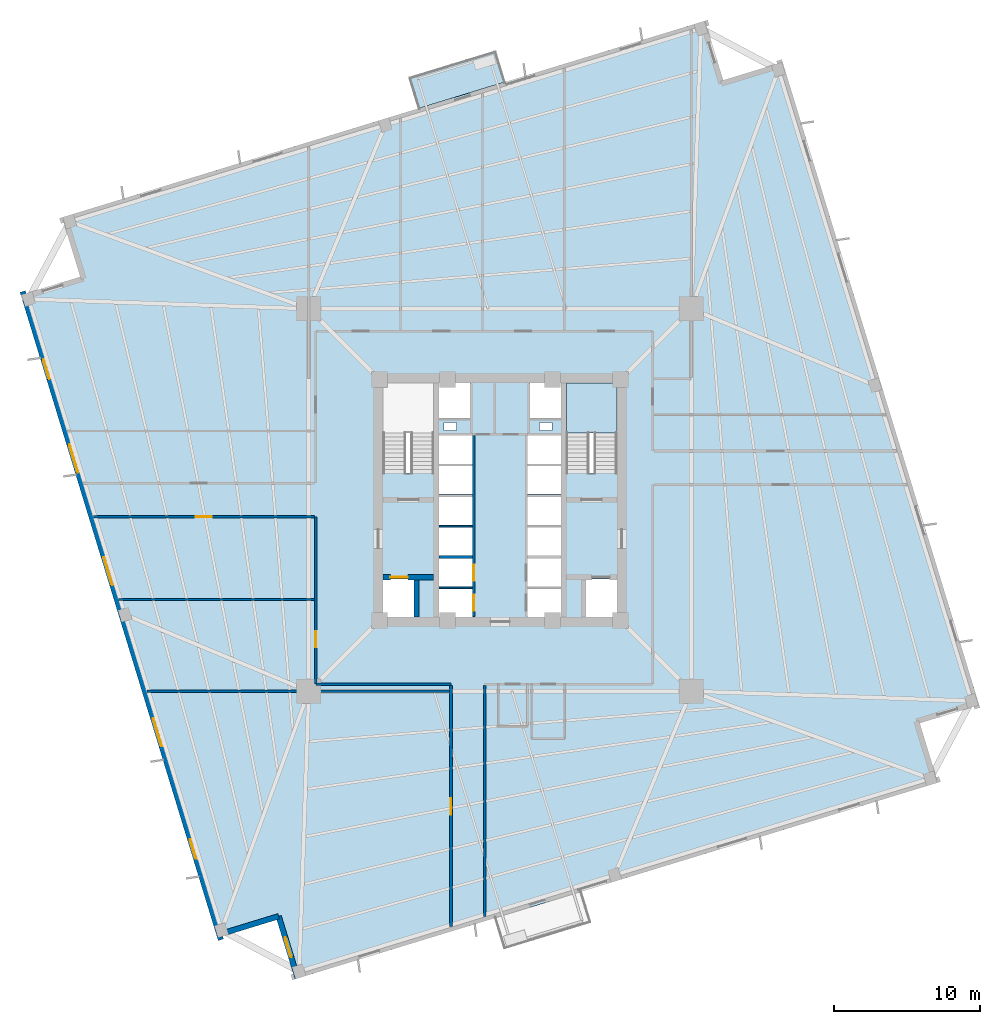
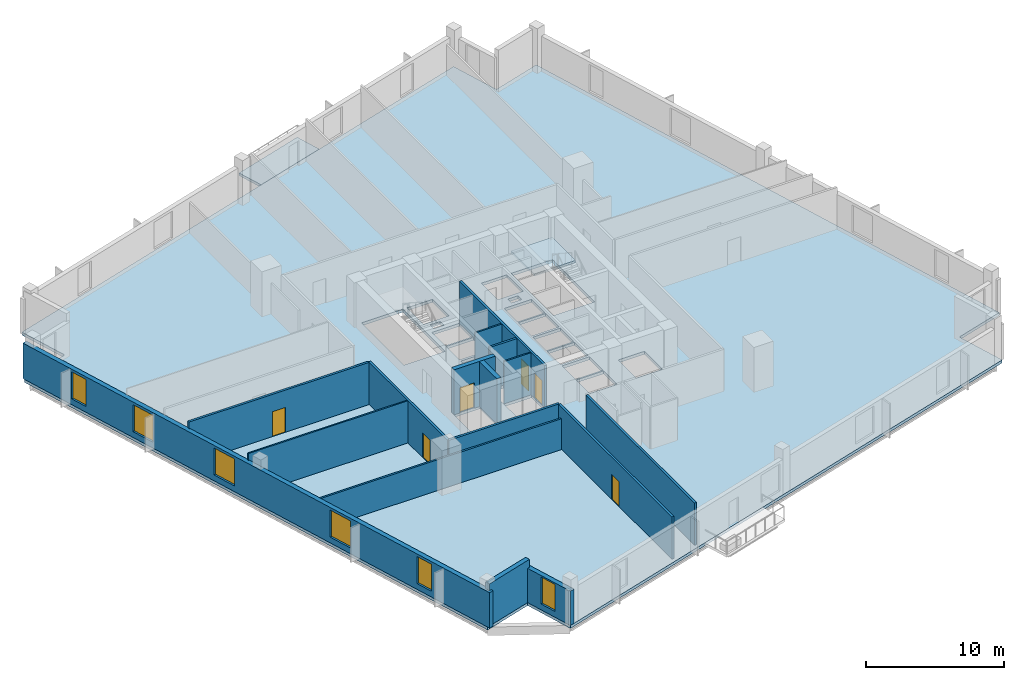
# One storey, part 2 of 8: 16 walls, 6 doors, 6 windows, 3 slabs, 12 openings, 1 element without a shape of its own.
"""IFC4 building model written with IfcOpenShell, lengths in metres."""

from ifc_helpers import new_model, si_unit, direction, frame, frame_2d, origin, place, context, subcontext, project, spatial, polyline, rectangle, outline, extrude, source, transform, mapped, material, layer, layer_set, type_object, element, fill, aggregate, save


model = new_model("IFC4")

# Units and contexts
model_context = context("Model", 3, precision=1e-05, world=origin(), true_north=direction((0.0, 1.0)))
body_context = subcontext(model_context, "Body", "Model", "MODEL_VIEW")
ifc_project = project(units=[si_unit("LENGTHUNIT", "METRE"), si_unit("AREAUNIT", "SQUARE_METRE"), si_unit("VOLUMEUNIT", "CUBIC_METRE"), si_unit("PLANEANGLEUNIT", "RADIAN"), si_unit("MASSUNIT", "GRAM", prefix="KILO"), si_unit("THERMODYNAMICTEMPERATUREUNIT", "KELVIN")], contexts=[model_context])

# Site, building, storey
site_placement = place(None, origin())
site = spatial("IfcSite", under=ifc_project, at=site_placement, CompositionType="ELEMENT")
building_placement = place(site_placement, origin())
building = spatial("IfcBuilding", under=site, at=building_placement, Name="Kosmvard Interchange Tower", CompositionType="ELEMENT")
storey_placement = place(building_placement, frame((0.0, 0.0, 91.199951171875)))
storey = spatial("IfcBuildingStorey", under=building, at=storey_placement, Name="L21", CompositionType="ELEMENT", Elevation=91.199951171875)

# Slab
ifc_material_1 = material(Name="Concrete C50/60", Category="concrete")
ifc_layer_1 = layer(ifc_material_1, 0.260009765625, Name="Concrete C50/60")
ifc_layer_set_1 = layer_set([ifc_layer_1], Name="Concrete C50/60")
slab_type_1 = type_object("IfcSlabType", Name="Mid-Rise Office Composite Slab 260 C50/60", PredefinedType="FLOOR", material=ifc_layer_set_1)
slab_1_placement = place(storey_placement, frame((0.0, 0.0, -0.260009765625)))
element("IfcSlab", 1, at=slab_1_placement, inside=storey, type_object=slab_type_1, Name="L21 Structural Floor Slab", PredefinedType="FLOOR", context=body_context, shape_type="SweptSolid", body=[
    extrude(outline(polyline([(-14.02783203125, -32.783935546875), (29.962158203125, -19.334716796875), (28.719482421875, -15.2705078125), (32.783935546875, -14.02783203125), (19.334716796875, 29.962158203125), (15.2705078125, 28.719482421875), (14.02783203125, 32.783935546875), (-29.962158203125, 19.334716796875), (-28.719482421875, 15.2705078125), (-32.783935546875, 14.02783203125), (-19.334716796875, -29.962158203125), (-15.2705078125, -28.719482421875), (-14.02783203125, -32.783935546875)]), holes=[polyline([(-8.0, 1.8349609375), (-4.5400390625, 1.8349609375), (-4.5400390625, 8.0), (-8.0, 8.0), (-8.0, 1.8349609375)]), polyline([(4.5400390625, 1.8349609375), (8.0, 1.8349609375), (8.0, 8.0), (4.5400390625, 8.0), (4.5400390625, 1.8349609375)]), polyline([(-8.0, -8.0), (-5.800048828125, -8.0), (-5.800048828125, -5.39990234375), (-8.0, -5.39990234375), (-8.0, -8.0)]), polyline([(5.800048828125, -8.0), (8.0, -8.0), (8.0, -5.39990234375), (5.800048828125, -5.39990234375), (5.800048828125, -8.0)]), polyline([(-4.179931640625, -8.0), (-1.8798828125, -8.0), (-1.8798828125, -6.06005859375), (-4.179931640625, -6.06005859375), (-4.179931640625, -8.0)]), polyline([(-4.179931640625, -5.93994140625), (-1.8798828125, -5.93994140625), (-1.8798828125, -4.0), (-4.179931640625, -4.0), (-4.179931640625, -5.93994140625)]), polyline([(1.8798828125, -8.0), (4.179931640625, -8.0), (4.179931640625, -6.06005859375), (1.8798828125, -6.06005859375), (1.8798828125, -8.0)]), polyline([(1.8798828125, -5.93994140625), (4.179931640625, -5.93994140625), (4.179931640625, -4.0), (1.8798828125, -4.0), (1.8798828125, -5.93994140625)]), polyline([(-4.179931640625, -3.800048828125), (-1.8798828125, -3.800048828125), (-1.8798828125, -1.860107421875), (-4.179931640625, -1.860107421875), (-4.179931640625, -3.800048828125)]), polyline([(-4.179931640625, -1.739990234375), (-1.8798828125, -1.739990234375), (-1.8798828125, 0.199951171875), (-4.179931640625, 0.199951171875), (-4.179931640625, -1.739990234375)]), polyline([(1.8798828125, -3.800048828125), (4.179931640625, -3.800048828125), (4.179931640625, -1.860107421875), (1.8798828125, -1.860107421875), (1.8798828125, -3.800048828125)]), polyline([(1.8798828125, -1.739990234375), (4.179931640625, -1.739990234375), (4.179931640625, 0.199951171875), (1.8798828125, 0.199951171875), (1.8798828125, -1.739990234375)]), polyline([(-4.179931640625, 0.39990234375), (-1.8798828125, 0.39990234375), (-1.8798828125, 2.340087890625), (-4.179931640625, 2.340087890625), (-4.179931640625, 0.39990234375)]), polyline([(-4.179931640625, 2.4599609375), (-1.8798828125, 2.4599609375), (-1.8798828125, 4.39990234375), (-4.179931640625, 4.39990234375), (-4.179931640625, 2.4599609375)]), polyline([(1.8798828125, 0.39990234375), (4.179931640625, 0.39990234375), (4.179931640625, 2.340087890625), (1.8798828125, 2.340087890625), (1.8798828125, 0.39990234375)]), polyline([(1.8798828125, 2.4599609375), (4.179931640625, 2.4599609375), (4.179931640625, 4.39990234375), (1.8798828125, 4.39990234375), (1.8798828125, 2.4599609375)]), polyline([(-4.179931640625, 5.60009765625), (-2.0400390625, 5.60009765625), (-2.0400390625, 8.0), (-4.179931640625, 8.0), (-4.179931640625, 5.60009765625)]), polyline([(2.0400390625, 5.60009765625), (4.179931640625, 5.60009765625), (4.179931640625, 8.0), (2.0400390625, 8.0), (2.0400390625, 5.60009765625)]), polyline([(-3.81494140625, 4.739990234375), (-2.965087890625, 4.739990234375), (-2.965087890625, 5.2900390625), (-3.81494140625, 5.2900390625), (-3.81494140625, 4.739990234375)]), polyline([(2.715087890625, 4.739990234375), (3.56494140625, 4.739990234375), (3.56494140625, 5.2900390625), (2.715087890625, 5.2900390625), (2.715087890625, 4.739990234375)])]), origin(), (0.0, 0.0, 1.0), 0.260009765625),
])

# Stair, slab
stair_type = type_object("IfcStairType", Name="Dog-Leg Core Exit Stair H4000 C50/60", PredefinedType="HALF_TURN_STAIR", material=ifc_material_1)
stair_placement = place(storey_placement, origin())
stair = element("IfcStair", 2, at=stair_placement, inside=storey, type_object=stair_type, Name="L21 Protected Exit Stair ST-2", PredefinedType="HALF_TURN_STAIR")
ifc_layer_2 = layer(ifc_material_1, 0.199951171875, Name="Concrete C50/60")
ifc_layer_set_2 = layer_set([ifc_layer_2], Name="Concrete C50/60")
slab_type_2 = type_object("IfcSlabType", Name="Stair Half-Landing Slab 200 C50/60", PredefinedType="LANDING", material=ifc_layer_set_2)
slab_2_placement = place(storey_placement, frame((0.0, 0.0, 1.800048828125)))
slab_2 = element("IfcSlab", 3, at=slab_2_placement, type_object=slab_type_2, Name="ST-2 landing 1", PredefinedType="LANDING", context=body_context, shape_type="SweptSolid", body=[
    extrude(outline(polyline([(8.0, 4.60009765625), (8.0, 8.0), (4.5400390625, 8.0), (4.5400390625, 4.60009765625), (8.0, 4.60009765625)])), origin(), (0.0, 0.0, 1.0), 0.199951171875),
])
aggregate(stair, [slab_2])

# Slab
ifc_layer_3 = layer(ifc_material_1, 0.22998046875, Name="Concrete C50/60")
ifc_layer_set_3 = layer_set([ifc_layer_3], Name="Concrete C50/60")
slab_type_3 = type_object("IfcSlabType", Name="Tree-Planter Cantilever Balcony Slab 230 C50/60", PredefinedType="FLOOR", material=ifc_layer_set_3)
slab_3_placement = place(storey_placement, frame((0.0, 0.0, -0.22998046875)))
element("IfcSlab", 4, at=slab_3_placement, inside=storey, type_object=slab_type_3, Name="L21 Outdoor Terrace Balcony Slab BAL-L21-N", PredefinedType="FLOOR", context=body_context, shape_type="SweptSolid", body=[
    extrude(outline(polyline([(-5.576416015625, 26.790283203125), (0.352783203125, 28.60302734375), (-0.29052734375, 30.706787109375), (-6.219482421875, 28.89404296875), (-5.576416015625, 26.790283203125)])), origin(), (0.0, 0.0, 1.0), 0.22998046875),
])

# Wall
ifc_material_2 = material(Name="Acoustic gypsum partition system")
ifc_layer_4 = layer(ifc_material_2, 0.14990234375, Name="Acoustic gypsum partition system")
ifc_layer_set_4 = layer_set([ifc_layer_4], Name="Acoustic gypsum partition system")
wall_type_1 = type_object("IfcWallType", Name="Acoustic Suite & Meeting Partition 150", PredefinedType="PARTITIONING", material=ifc_layer_set_4)
wall_1_placement = place(storey_placement, frame((-24.16650390625, -13.0810546875, 0.0), z_axis=(0.0, 0.0, 1.0), x_axis=(1.0, 0.0, 0.0)))
element("IfcWall", 5, at=wall_1_placement, inside=storey, type_object=wall_type_1, Name="L21 Room Partition 10.1", PredefinedType="PARTITIONING", context=body_context, shape_type="SweptSolid", body=[
    extrude(rectangle(XDim=20.721435546875, YDim=0.14990234375, at=frame_2d((10.36083984375, 0.0))), origin(), (0.0, 0.0, 1.0), 2.73193359375),
])

# Wall, openings, doors
ifc_material_3 = material(Name="Fire-rated gypsum partition system")
ifc_layer_5 = layer(ifc_material_3, 0.179931640625, Name="Fire-rated gypsum partition system")
ifc_layer_set_5 = layer_set([ifc_layer_5], Name="Fire-rated gypsum partition system")
wall_type_2 = type_object("IfcWallType", Name="Corridor & Hotel Compartment Partition 180", PredefinedType="PARTITIONING", material=ifc_layer_set_5)
wall_2_placement = place(storey_placement, frame((-1.7900390625, -7.97998046875, 0.0), z_axis=(0.0, 0.0, 1.0), x_axis=(0.0, 1.0, 0.0)))
wall_2 = element("IfcWall", 6, at=wall_2_placement, inside=storey, type_object=wall_type_2, Name="L21 West Lift Bank Front Wall", PredefinedType="PARTITIONING", context=body_context, shape_type="SweptSolid", body=[
    extrude(rectangle(XDim=12.3798828125, YDim=0.179931640625, at=frame_2d((6.18994140625, 0.0))), origin(), (0.0, 0.0, 1.0), 3.739990234375),
])
opening_1_placement = place(wall_2_placement, frame((0.39990234375, 0.0, 0.0)))
opening_1 = element("IfcOpeningElement", 7, at=opening_1_placement, cuts=wall_2, Name="Opening LD-PL-L1-L21", PredefinedType="OPENING", context=body_context, shape_type="SweptSolid", body=[
    extrude(rectangle(XDim=1.10009765625, YDim=2.199951171875, at=frame_2d((0.550048828125, 1.10009765625))), frame((0.0, 0.10009765625, 0.0), z_axis=(0.0, -1.0, 0.0), x_axis=(1.0, 0.0, 0.0)), (0.0, 0.0, 1.0), 0.199951171875),
])
opening_2_placement = place(wall_2_placement, frame((2.4599609375, 0.0, 0.0)))
opening_2 = element("IfcOpeningElement", 8, at=opening_2_placement, cuts=wall_2, Name="Opening LD-PL-L2-L21", PredefinedType="OPENING", context=body_context, shape_type="SweptSolid", body=[
    extrude(rectangle(XDim=1.10009765625, YDim=2.199951171875, at=frame_2d((0.550048828125, 1.10009765625))), frame((0.0, 0.10009765625, 0.0), z_axis=(0.0, -1.0, 0.0), x_axis=(1.0, 0.0, 0.0)), (0.0, 0.0, 1.0), 0.199951171875),
])
ifc_material_4 = material(Name="Brushed stainless steel sliding leaf", Category="steel")
door_type_1 = type_object("IfcDoorType", Name="Passenger Lift Sliding Landing Door 1100x2200 EI60", OperationType="DOUBLE_DOOR_SLIDING", PredefinedType="DOOR", material=ifc_material_4)
shared_shape_1 = source(origin(), body_context, "Body", "SweptSolid", [
    extrude(rectangle(XDim=1.10009765625, YDim=2.199951171875, at=frame_2d((0.550048828125, 1.10009765625))), frame((0.0, 0.02490234375, 0.0), z_axis=(0.0, -1.0, 0.0), x_axis=(1.0, 0.0, 0.0)), (0.0, 0.0, 1.0), 0.050048828125),
])
door_1_placement = place(opening_1_placement, frame((1.10009765625, 0.0, 0.0), z_axis=(0.0, 0.0, 1.0), x_axis=(-1.0, 0.0, 0.0)))
door_1 = element("IfcDoor", 9, at=door_1_placement, inside=storey, type_object=door_type_1, Name="Lift PL-L1 Landing Door L21", OperationType="DOUBLE_DOOR_SLIDING", OverallHeight=2.199951171875, OverallWidth=1.10009765625, PredefinedType="DOOR", context=body_context, shape_type="MappedRepresentation", body=[
    mapped(shared_shape_1, transform((0.0, 0.0, 0.0), scale=1.0)),
])
fill(opening_1, door_1)
door_2_placement = place(opening_2_placement, frame((1.10009765625, 0.0, 0.0), z_axis=(0.0, 0.0, 1.0), x_axis=(-1.0, 0.0, 0.0)))
door_2 = element("IfcDoor", 10, at=door_2_placement, inside=storey, type_object=door_type_1, Name="Lift PL-L2 Landing Door L21", OperationType="DOUBLE_DOOR_SLIDING", OverallHeight=2.199951171875, OverallWidth=1.10009765625, PredefinedType="DOOR", context=body_context, shape_type="MappedRepresentation", body=[
    mapped(shared_shape_1, transform((0.0, 0.0, 0.0), scale=1.0)),
])
fill(opening_2, door_2)

# Wall
wall_3_placement = place(storey_placement, frame((-12.60009765625, -12.60009765625, 0.0), z_axis=(0.0, 0.0, 1.0), x_axis=(1.0, 0.0, 0.0)))
element("IfcWall", 11, at=wall_3_placement, inside=storey, type_object=wall_type_2, Name="L21 Corridor Wall CSW", PredefinedType="PARTITIONING", context=body_context, shape_type="SweptSolid", body=[
    extrude(rectangle(XDim=9.25, YDim=0.179931640625, at=frame_2d((4.625, 0.0))), origin(), (0.0, 0.0, 1.0), 3.739990234375),
])

# Wall, opening, door
wall_4_placement = place(storey_placement, frame((-12.60009765625, -12.60009765625, 0.0), z_axis=(0.0, 0.0, 1.0), x_axis=(0.0, 1.0, 0.0)))
wall_4 = element("IfcWall", 12, at=wall_4_placement, inside=storey, type_object=wall_type_2, Name="L21 Corridor Wall CWS", PredefinedType="PARTITIONING", context=body_context, shape_type="SweptSolid", body=[
    extrude(rectangle(XDim=11.4501953125, YDim=0.179931640625, at=frame_2d((5.72509765625, 0.0))), origin(), (0.0, 0.0, 1.0), 3.739990234375),
])
opening_3_placement = place(wall_4_placement, frame((2.514404296875, 0.0, 0.0)))
opening_3 = element("IfcOpeningElement", 13, at=opening_3_placement, cuts=wall_4, Name="Opening L21-D13", PredefinedType="OPENING", context=body_context, shape_type="SweptSolid", body=[
    extrude(rectangle(XDim=1.10009765625, YDim=2.199951171875, at=frame_2d((0.550048828125, 1.10009765625))), frame((0.0, 0.10009765625, 0.0), z_axis=(0.0, -1.0, 0.0), x_axis=(1.0, 0.0, 0.0)), (0.0, 0.0, 1.0), 0.199951171875),
])
ifc_material_5 = material(Name="Engineered oak fire-rated timber", Category="wood")
door_type_2 = type_object("IfcDoorType", Name="Office Suite Entrance Door 1100x2200 FD30S", OperationType="NOTDEFINED", PredefinedType="DOOR", material=ifc_material_5)
door_3_placement = place(opening_3_placement, origin())
door_3 = element("IfcDoor", 14, at=door_3_placement, inside=storey, type_object=door_type_2, Name="L21 West Counsel Office 8 Door", OperationType="SINGLE_SWING_LEFT", OverallHeight=2.199951171875, OverallWidth=1.10009765625, PredefinedType="DOOR", context=body_context, shape_type="MappedRepresentation", body=[
    mapped(shared_shape_1, transform((0.0, 0.0, 0.0), scale=1.0)),
])
fill(opening_3, door_3)

wall_5_placement = place(storey_placement, frame((-27.814208984375, -1.14990234375, 0.0), z_axis=(0.0, 0.0, 1.0), x_axis=(1.0, 0.0, 0.0)))
wall_5 = element("IfcWall", 15, at=wall_5_placement, inside=storey, type_object=wall_type_2, Name="L21 Corridor Wall SWS", PredefinedType="PARTITIONING", context=body_context, shape_type="SweptSolid", body=[
    extrude(rectangle(XDim=15.1142578125, YDim=0.179931640625, at=frame_2d((7.55712890625, 0.0))), origin(), (0.0, 0.0, 1.0), 3.739990234375),
])
opening_4_placement = place(wall_5_placement, frame((7.007080078125, 0.0, 0.0)))
opening_4 = element("IfcOpeningElement", 16, at=opening_4_placement, cuts=wall_5, Name="Opening L21-D12", PredefinedType="OPENING", context=body_context, shape_type="SweptSolid", body=[
    extrude(rectangle(XDim=1.10009765625, YDim=2.199951171875, at=frame_2d((0.550048828125, 1.10009765625))), frame((0.0, 0.10009765625, 0.0), z_axis=(0.0, -1.0, 0.0), x_axis=(1.0, 0.0, 0.0)), (0.0, 0.0, 1.0), 0.199951171875),
])
door_4_placement = place(opening_4_placement, frame((1.10009765625, 0.0, 0.0), z_axis=(0.0, 0.0, 1.0), x_axis=(-1.0, 0.0, 0.0)))
door_4 = element("IfcDoor", 17, at=door_4_placement, inside=storey, type_object=door_type_2, Name="L21 Staff Breakout Pantry Door", OperationType="SINGLE_SWING_RIGHT", OverallHeight=2.199951171875, OverallWidth=1.10009765625, PredefinedType="DOOR", context=body_context, shape_type="MappedRepresentation", body=[
    mapped(shared_shape_1, transform((0.0, 0.0, 0.0), scale=1.0)),
])
fill(opening_4, door_4)

wall_6_placement = place(storey_placement, frame((-3.35009765625, -29.18994140625, 0.0), z_axis=(0.0, 0.0, 1.0), x_axis=(0.0, 1.0, 0.0)))
wall_6 = element("IfcWall", 18, at=wall_6_placement, inside=storey, type_object=wall_type_2, Name="L21 Corridor Wall SSW", PredefinedType="PARTITIONING", context=body_context, shape_type="SweptSolid", body=[
    extrude(rectangle(XDim=16.489990234375, YDim=0.179931640625, at=frame_2d((8.2451171875, 0.0))), origin(), (0.0, 0.0, 1.0), 3.739990234375),
])
opening_5_placement = place(wall_6_placement, frame((7.6689453125, 0.0, 0.0)))
opening_5 = element("IfcOpeningElement", 19, at=opening_5_placement, cuts=wall_6, Name="Opening L21-D14", PredefinedType="OPENING", context=body_context, shape_type="SweptSolid", body=[
    extrude(rectangle(XDim=1.10009765625, YDim=2.199951171875, at=frame_2d((0.550048828125, 1.10009765625))), frame((0.0, 0.10009765625, 0.0), z_axis=(0.0, -1.0, 0.0), x_axis=(1.0, 0.0, 0.0)), (0.0, 0.0, 1.0), 0.199951171875),
])
door_5_placement = place(opening_5_placement, origin())
door_5 = element("IfcDoor", 20, at=door_5_placement, inside=storey, type_object=door_type_2, Name="L21 South-West Director Office Door", OperationType="SINGLE_SWING_RIGHT", OverallHeight=2.199951171875, OverallWidth=1.10009765625, PredefinedType="DOOR", context=body_context, shape_type="MappedRepresentation", body=[
    mapped(shared_shape_1, transform((0.0, 0.0, 0.0), scale=1.0)),
])
fill(opening_5, door_5)

# Wall
wall_7_placement = place(storey_placement, frame((-1.050048828125, -28.48681640625, 0.0), z_axis=(0.0, 0.0, 1.0), x_axis=(0.0, 1.0, 0.0)))
element("IfcWall", 21, at=wall_7_placement, inside=storey, type_object=wall_type_2, Name="L21 Corridor Wall SSE", PredefinedType="PARTITIONING", context=body_context, shape_type="SweptSolid", body=[
    extrude(rectangle(XDim=15.786865234375, YDim=0.179931640625, at=frame_2d((7.8935546875, 0.0))), origin(), (0.0, 0.0, 1.0), 3.739990234375),
])

# Wall, openings, windows
ifc_material_6 = material(Name="Precast concrete C45/55", Category="concrete")
ifc_layer_6 = layer(ifc_material_6, 0.3798828125, Name="Precast concrete C45/55")
ifc_layer_set_6 = layer_set([ifc_layer_6], Name="Precast concrete C45/55")
wall_type_3 = type_object("IfcWallType", Name="Lower Tower Precast Pier Wall 380 C45/55", PredefinedType="STANDARD", material=ifc_layer_set_6)
wall_8_placement = place(storey_placement, frame((-32.65771484375, 14.26513671875, 0.0), z_axis=(0.0, 0.0, 1.0), x_axis=(0.292373127906, -0.956304320851, 0.0)))
wall_8 = element("IfcWall", 22, at=wall_8_placement, inside=storey, type_object=wall_type_3, Name="L21 Precast Facade Wall F-W", PredefinedType="STANDARD", context=body_context, shape_type="SweptSolid", body=[
    extrude(rectangle(XDim=46.380126953125, YDim=0.3798828125, at=frame_2d((23.18994140625, 0.0))), origin(), (0.0, 0.0, 1.0), 3.14013671875),
])
opening_6_placement = place(wall_8_placement, frame((4.865478515625, 0.0, 0.510009765625)))
opening_6 = element("IfcOpeningElement", 23, at=opening_6_placement, cuts=wall_8, Name="Opening L21-W13", PredefinedType="OPENING", context=body_context, shape_type="SweptSolid", body=[
    extrude(rectangle(XDim=1.39990234375, YDim=2.39990234375, at=frame_2d((0.699951171875, 1.199951171875))), frame((0.0, 0.199951171875, 0.0), z_axis=(0.0, -1.0, 0.0), x_axis=(1.0, 0.0, 0.0)), (0.0, 0.0, 1.0), 0.39990234375),
])
opening_7_placement = place(wall_8_placement, frame((10.9501953125, 0.0, 0.510009765625)))
opening_7 = element("IfcOpeningElement", 24, at=opening_7_placement, cuts=wall_8, Name="Opening L21-W14", PredefinedType="OPENING", context=body_context, shape_type="SweptSolid", body=[
    extrude(rectangle(XDim=2.0, YDim=2.39990234375, at=frame_2d((1.0, 1.199951171875))), frame((0.0, 0.199951171875, 0.0), z_axis=(0.0, -1.0, 0.0), x_axis=(1.0, 0.0, 0.0)), (0.0, 0.0, 1.0), 0.39990234375),
])
opening_8_placement = place(wall_8_placement, frame((19.012451171875, 0.0, 0.510009765625)))
opening_8 = element("IfcOpeningElement", 25, at=opening_8_placement, cuts=wall_8, Name="Opening L21-W15", PredefinedType="OPENING", context=body_context, shape_type="SweptSolid", body=[
    extrude(rectangle(XDim=2.0, YDim=2.39990234375, at=frame_2d((1.0, 1.199951171875))), frame((0.0, 0.199951171875, 0.0), z_axis=(0.0, -1.0, 0.0), x_axis=(1.0, 0.0, 0.0)), (0.0, 0.0, 1.0), 0.39990234375),
])
opening_9_placement = place(wall_8_placement, frame((30.538330078125, 0.0, 0.510009765625)))
opening_9 = element("IfcOpeningElement", 26, at=opening_9_placement, cuts=wall_8, Name="Opening L21-W16", PredefinedType="OPENING", context=body_context, shape_type="SweptSolid", body=[
    extrude(rectangle(XDim=2.0, YDim=2.39990234375, at=frame_2d((1.0, 1.199951171875))), frame((0.0, 0.199951171875, 0.0), z_axis=(0.0, -1.0, 0.0), x_axis=(1.0, 0.0, 0.0)), (0.0, 0.0, 1.0), 0.39990234375),
])
opening_10_placement = place(wall_8_placement, frame((39.186767578125, 0.0, 0.510009765625)))
opening_10 = element("IfcOpeningElement", 27, at=opening_10_placement, cuts=wall_8, Name="Opening L21-W17", PredefinedType="OPENING", context=body_context, shape_type="SweptSolid", body=[
    extrude(rectangle(XDim=1.39990234375, YDim=2.39990234375, at=frame_2d((0.699951171875, 1.199951171875))), frame((0.0, 0.199951171875, 0.0), z_axis=(0.0, -1.0, 0.0), x_axis=(1.0, 0.0, 0.0)), (0.0, 0.0, 1.0), 0.39990234375),
])
ifc_material_7 = material(Name="Low-E solar-control double glazing", Category="glass")
window_type_1 = type_object("IfcWindowType", Name="Notched Corner Feature Window 1400x2400", PartitioningType="SINGLE_PANEL", PredefinedType="WINDOW", material=ifc_material_7)
shared_shape_2 = source(origin(), body_context, "Body", "SweptSolid", [
    extrude(rectangle(XDim=1.39990234375, YDim=2.39990234375, at=frame_2d((0.699951171875, 1.199951171875))), frame((0.0, 0.030029296875, 0.0), z_axis=(0.0, -1.0, 0.0), x_axis=(1.0, 0.0, 0.0)), (0.0, 0.0, 1.0), 0.06005859375),
])
window_1_placement = place(opening_6_placement, origin())
window_1 = element("IfcWindow", 28, at=window_1_placement, inside=storey, type_object=window_type_1, Name="L21 Facade Punched Window 13", OverallHeight=2.39990234375, OverallWidth=1.39990234375, PartitioningType="SINGLE_PANEL", PredefinedType="WINDOW", context=body_context, shape_type="MappedRepresentation", body=[
    mapped(shared_shape_2, transform((0.0, 0.0, 0.0), scale=1.0)),
])
fill(opening_6, window_1)
window_2_placement = place(opening_10_placement, origin())
window_2 = element("IfcWindow", 29, at=window_2_placement, inside=storey, type_object=window_type_1, Name="L21 Facade Punched Window 17", OverallHeight=2.39990234375, OverallWidth=1.39990234375, PartitioningType="SINGLE_PANEL", PredefinedType="WINDOW", context=body_context, shape_type="MappedRepresentation", body=[
    mapped(shared_shape_2, transform((0.0, 0.0, 0.0), scale=1.0)),
])
fill(opening_10, window_2)
window_type_2 = type_object("IfcWindowType", Name="Zone 2 Office Punched Window 2000x2400", PartitioningType="SINGLE_PANEL", PredefinedType="WINDOW", material=ifc_material_7)
shared_shape_3 = source(origin(), body_context, "Body", "SweptSolid", [
    extrude(rectangle(XDim=2.0, YDim=2.39990234375, at=frame_2d((1.0, 1.199951171875))), frame((0.0, 0.030029296875, 0.0), z_axis=(0.0, -1.0, 0.0), x_axis=(1.0, 0.0, 0.0)), (0.0, 0.0, 1.0), 0.06005859375),
])
window_3_placement = place(opening_7_placement, origin())
window_3 = element("IfcWindow", 30, at=window_3_placement, inside=storey, type_object=window_type_2, Name="L21 Facade Punched Window 14", OverallHeight=2.39990234375, OverallWidth=2.0, PartitioningType="SINGLE_PANEL", PredefinedType="WINDOW", context=body_context, shape_type="MappedRepresentation", body=[
    mapped(shared_shape_3, transform((0.0, 0.0, 0.0), scale=1.0)),
])
fill(opening_7, window_3)
window_4_placement = place(opening_8_placement, origin())
window_4 = element("IfcWindow", 31, at=window_4_placement, inside=storey, type_object=window_type_2, Name="L21 Facade Punched Window 15", OverallHeight=2.39990234375, OverallWidth=2.0, PartitioningType="SINGLE_PANEL", PredefinedType="WINDOW", context=body_context, shape_type="MappedRepresentation", body=[
    mapped(shared_shape_3, transform((0.0, 0.0, 0.0), scale=1.0)),
])
fill(opening_8, window_4)
window_5_placement = place(opening_9_placement, origin())
window_5 = element("IfcWindow", 32, at=window_5_placement, inside=storey, type_object=window_type_2, Name="L21 Facade Punched Window 16", OverallHeight=2.39990234375, OverallWidth=2.0, PartitioningType="SINGLE_PANEL", PredefinedType="WINDOW", context=body_context, shape_type="MappedRepresentation", body=[
    mapped(shared_shape_3, transform((0.0, 0.0, 0.0), scale=1.0)),
])
fill(opening_9, window_5)

# Wall
wall_9_placement = place(storey_placement, frame((-19.20849609375, -29.724853515625, 0.0), z_axis=(0.0, 0.0, 1.0), x_axis=(0.956312764915, 0.292345507338, 0.0)))
element("IfcWall", 33, at=wall_9_placement, inside=storey, type_object=wall_type_3, Name="L21 Precast Facade Wall N-SW1", PredefinedType="STANDARD", context=body_context, shape_type="SweptSolid", body=[
    extrude(rectangle(XDim=4.249755859375, YDim=0.3798828125, at=frame_2d((2.125, 0.0))), origin(), (0.0, 0.0, 1.0), 3.739990234375),
])

# Wall, opening, window
wall_10_placement = place(storey_placement, frame((-15.144287109375, -28.482421875, 0.0), z_axis=(0.0, 0.0, 1.0), x_axis=(0.292373601522, -0.956304176051, 0.0)))
wall_10 = element("IfcWall", 34, at=wall_10_placement, inside=storey, type_object=wall_type_3, Name="L21 Precast Facade Wall N-SW2", PredefinedType="STANDARD", context=body_context, shape_type="SweptSolid", body=[
    extrude(rectangle(XDim=4.43994140625, YDim=0.3798828125, at=frame_2d((2.219970703125, 0.0))), origin(), (0.0, 0.0, 1.0), 3.0400390625),
])
opening_11_placement = place(wall_10_placement, frame((1.52001953125, 0.0, 0.510009765625)))
opening_11 = element("IfcOpeningElement", 35, at=opening_11_placement, cuts=wall_10, Name="Opening L21-W21", PredefinedType="OPENING", context=body_context, shape_type="SweptSolid", body=[
    extrude(rectangle(XDim=1.39990234375, YDim=2.39990234375, at=frame_2d((0.699951171875, 1.199951171875))), frame((0.0, 0.199951171875, 0.0), z_axis=(0.0, -1.0, 0.0), x_axis=(1.0, 0.0, 0.0)), (0.0, 0.0, 1.0), 0.39990234375),
])
window_6_placement = place(opening_11_placement, origin())
window_6 = element("IfcWindow", 36, at=window_6_placement, inside=storey, type_object=window_type_1, Name="L21 Corner Notch Window 21", OverallHeight=2.39990234375, OverallWidth=1.39990234375, PartitioningType="SINGLE_PANEL", PredefinedType="WINDOW", context=body_context, shape_type="MappedRepresentation", body=[
    mapped(shared_shape_2, transform((0.0, 0.0, 0.0), scale=1.0)),
])
fill(opening_11, window_6)

# Walls
ifc_material_8 = material(Name="Gypsum board partition system")
ifc_layer_7 = layer(ifc_material_8, 0.1201171875, Name="Gypsum board partition system")
ifc_layer_set_7 = layer_set([ifc_layer_7], Name="Gypsum board partition system")
wall_type_4 = type_object("IfcWallType", Name="Office Cellular Partition 120", PredefinedType="PARTITIONING", material=ifc_layer_set_7)
wall_11_placement = place(storey_placement, frame((-26.086669921875, -6.800048828125, 0.0), z_axis=(0.0, 0.0, 1.0), x_axis=(1.0, 0.0, 0.0)))
element("IfcWall", 37, at=wall_11_placement, inside=storey, type_object=wall_type_4, Name="L21 Room Partition 11.1", PredefinedType="PARTITIONING", context=body_context, shape_type="SweptSolid", body=[
    extrude(rectangle(XDim=13.3916015625, YDim=0.1201171875, at=frame_2d((6.69580078125, 0.0))), origin(), (0.0, 0.0, 1.0), 3.739990234375),
])
ifc_material_9 = material(Name="Concrete blockwork masonry", Category="masonry")
ifc_layer_8 = layer(ifc_material_9, 0.179931640625, Name="Concrete blockwork masonry")
ifc_layer_set_8 = layer_set([ifc_layer_8], Name="Concrete blockwork masonry")
wall_type_5 = type_object("IfcWallType", Name="Riser & Lift Bank Divider Wall 180", PredefinedType="PARTITIONING", material=ifc_layer_set_8)
wall_12_placement = place(storey_placement, frame((-4.169921875, -3.89990234375, 0.0), z_axis=(0.0, 0.0, 1.0), x_axis=(1.0, 0.0, 0.0)))
element("IfcWall", 38, at=wall_12_placement, inside=storey, type_object=wall_type_5, Name="L21 West Bank Divider BD1", PredefinedType="PARTITIONING", context=body_context, shape_type="SweptSolid", body=[
    extrude(rectangle(XDim=2.280029296875, YDim=0.179931640625, at=frame_2d((1.14013671875, 0.0))), origin(), (0.0, 0.0, 1.0), 3.739990234375),
])
ifc_material_10 = material(Name="Fire-rated gypsum shaftwall system")
ifc_layer_9 = layer(ifc_material_10, 0.1201171875, Name="Fire-rated gypsum shaftwall system")
ifc_layer_set_9 = layer_set([ifc_layer_9], Name="Fire-rated gypsum shaftwall system")
wall_type_6 = type_object("IfcWallType", Name="Shaft & Riser Fire Partition 120 EI60", PredefinedType="PARTITIONING", material=ifc_layer_set_9)
for number, where, z_axis, x_axis, name in (
    (39, (-4.159912109375, -6.0, 0.0), (0.0, 0.0, 1.0), (1.0, 0.0, 0.0), "L21 Shaft Divider PL-L1"),
    (40, (-4.159912109375, -1.800048828125, 0.0), (0.0, 0.0, 1.0), (1.0, 0.0, 0.0), "L21 Shaft Divider PL-M1"),
):
    element("IfcWall", number, at=place(storey_placement, frame(where, z_axis=z_axis, x_axis=x_axis)), inside=storey, type_object=wall_type_6, Name=name, PredefinedType="PARTITIONING", context=body_context, shape_type="SweptSolid", body=[
        extrude(rectangle(XDim=2.260009765625, YDim=0.1201171875, at=frame_2d((1.1298828125, 0.0))), origin(), (0.0, 0.0, 1.0), 3.739990234375),
    ])

# Wall, opening, door
ifc_material_11 = material(Name="Concrete C60/75", Category="concrete")
ifc_layer_10 = layer(ifc_material_11, 0.360107421875, Name="Concrete C60/75")
ifc_layer_set_10 = layer_set([ifc_layer_10], Name="Concrete C60/75")
wall_type_7 = type_object("IfcWallType", Name="Stair & Lift Shaft Shear Wall 360 C60/75", PredefinedType="SHEAR", material=ifc_layer_set_10)
wall_13_placement = place(storey_placement, frame((-8.0, -5.280029296875, 0.0), z_axis=(0.0, 0.0, 1.0), x_axis=(1.0, 0.0, 0.0)))
wall_13 = element("IfcWall", 41, at=wall_13_placement, inside=storey, type_object=wall_type_7, Name="L21 Shaft Shear Wall SW-FF1", PredefinedType="SHEAR", context=body_context, shape_type="SweptSolid", body=[
    extrude(rectangle(XDim=3.4599609375, YDim=0.360107421875, at=frame_2d((1.72998046875, 0.0))), origin(), (0.0, 0.0, 1.0), 4.0),
])
opening_12_placement = place(wall_13_placement, frame((0.5, 0.0, 0.0)))
opening_12 = element("IfcOpeningElement", 42, at=opening_12_placement, cuts=wall_13, Name="Opening LD-FF-1-L21", PredefinedType="OPENING", context=body_context, shape_type="SweptSolid", body=[
    extrude(rectangle(XDim=1.199951171875, YDim=2.25, at=frame_2d((0.60009765625, 1.125))), frame((0.0, 0.18994140625, 0.0), z_axis=(0.0, -1.0, 0.0), x_axis=(1.0, 0.0, 0.0)), (0.0, 0.0, 1.0), 0.380126953125),
])
door_type_3 = type_object("IfcDoorType", Name="Firefighting Lift Sliding Landing Door 1200x2250 EI120", OperationType="DOUBLE_DOOR_SLIDING", PredefinedType="DOOR", material=ifc_material_4)
shared_shape_4 = source(origin(), body_context, "Body", "SweptSolid", [
    extrude(rectangle(XDim=1.199951171875, YDim=2.25, at=frame_2d((0.60009765625, 1.125))), frame((0.0, 0.02490234375, 0.0), z_axis=(0.0, -1.0, 0.0), x_axis=(1.0, 0.0, 0.0)), (0.0, 0.0, 1.0), 0.050048828125),
])
door_6_placement = place(opening_12_placement, origin())
door_6 = element("IfcDoor", 43, at=door_6_placement, inside=storey, type_object=door_type_3, Name="Lift FF-1 Landing Door L21", OperationType="DOUBLE_DOOR_SLIDING", OverallHeight=2.25, OverallWidth=1.199951171875, PredefinedType="DOOR", context=body_context, shape_type="MappedRepresentation", body=[
    mapped(shared_shape_4, transform((0.0, 0.0, 0.0), scale=1.0)),
])
fill(opening_12, door_6)

# Wall
wall_14_placement = place(storey_placement, frame((-5.7099609375, -8.0, 0.0), z_axis=(0.0, 0.0, 1.0), x_axis=(0.0, 1.0, 0.0)))
element("IfcWall", 44, at=wall_14_placement, inside=storey, type_object=wall_type_7, Name="L21 Shaft Shear Wall SW-SM1", PredefinedType="SHEAR", context=body_context, shape_type="SweptSolid", body=[
    extrude(rectangle(XDim=2.5400390625, YDim=0.360107421875, at=frame_2d((1.27001953125, 0.0))), origin(), (0.0, 0.0, 1.0), 4.0),
])

save(model, "model.ifc")
